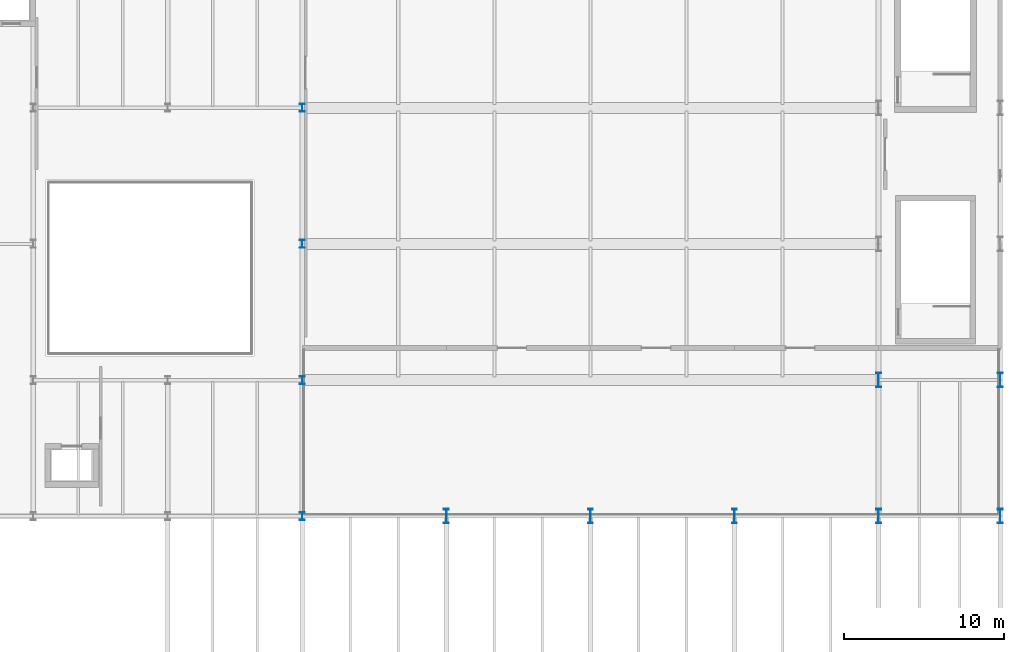
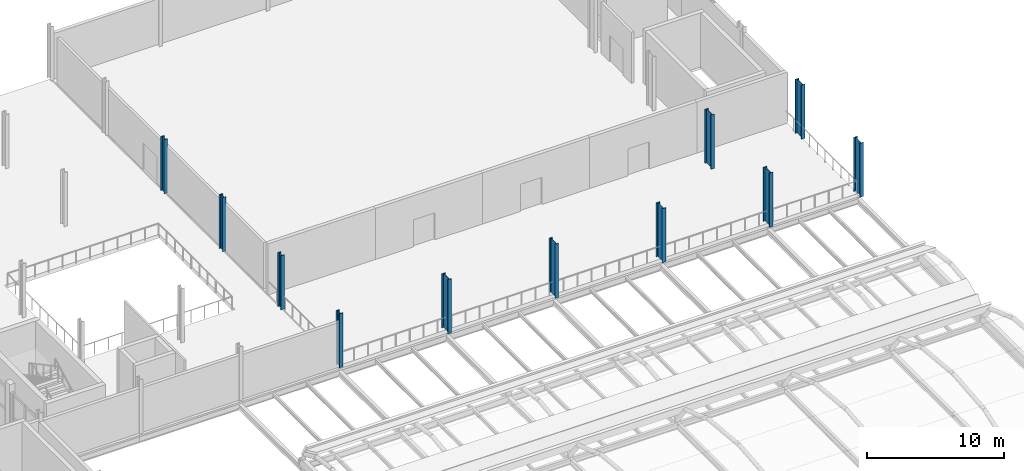
# One storey, part 13 of 63: 11 columns.
"""IFC4 building model written with IfcOpenShell, lengths in metres."""

from ifc_helpers import new_model, si_unit, direction, frame, origin, origin_2d, place, context, subcontext, project, spatial, i_section, extrude, material, material_profile, profile_set, type_object, element, save


model = new_model("IFC4")

# Units and contexts
model_context = context("Model", 3, precision=1e-05, world=origin(), true_north=direction((0.0, 1.0)))
body_context = subcontext(model_context, "Body", "Model", "MODEL_VIEW")
ifc_project = project(units=[si_unit("LENGTHUNIT", "METRE"), si_unit("AREAUNIT", "SQUARE_METRE"), si_unit("VOLUMEUNIT", "CUBIC_METRE"), si_unit("PLANEANGLEUNIT", "RADIAN"), si_unit("MASSUNIT", "GRAM", prefix="KILO")], contexts=[model_context])

# Site, building, storey
site_placement = place(None, origin())
site = spatial("IfcSite", under=ifc_project, at=site_placement, CompositionType="ELEMENT")
building_placement = place(site_placement, origin())
building = spatial("IfcBuilding", under=site, at=building_placement, Name="Sefraquen Railside Congress Hotel", CompositionType="ELEMENT")
storey_placement = place(building_placement, frame((0.0, 0.0, 11.39990234375)))
storey = spatial("IfcBuildingStorey", under=building, at=storey_placement, Name="L02", CompositionType="ELEMENT", Elevation=11.39990234375)

# Columns
ifc_material = material(Name="Steel S355JR", Category="steel")
ifc_material_profile_1 = material_profile(ifc_material, i_section(OverallWidth=0.300048828125, OverallDepth=0.5, WebThickness=0.014404296875, FlangeThickness=0.028076171875, FilletRadius=0.027099609375, at=origin_2d()), Name="HEB 500")
ifc_profile_set_1 = profile_set([ifc_material_profile_1], Name="Steel S355JR")
column_type_1 = type_object("IfcColumnType", Name="TC-HEB-500", PredefinedType="COLUMN", material=ifc_profile_set_1)
for number, where, z_axis, x_axis, name in (
    (1, (128.39990234375, 54.0, 0.0), (0.0, 0.0, 1.0), (1.0, 0.0, 0.0), "Structural column 17-G L02"),
    (2, (128.39990234375, 62.5, 0.0), (0.0, 0.0, 1.0), (1.0, 0.0, 0.0), "Structural column 17-H L02"),
    (3, (128.39990234375, 71.0, 0.0), (0.0, 0.0, 1.0), (1.0, 0.0, 0.0), "Structural column 17-J L02"),
    (4, (128.39990234375, 79.5, 0.0), (0.0, 0.0, 1.0), (1.0, 0.0, 0.0), "Structural column 17-K L02"),
):
    element("IfcColumn", number, at=place(storey_placement, frame(where, z_axis=z_axis, x_axis=x_axis)), inside=storey, type_object=column_type_1, Name=name, PredefinedType="COLUMN", context=body_context, shape_type="SweptSolid", body=[
        extrude(i_section(OverallWidth=0.300048828125, OverallDepth=0.5, WebThickness=0.014404296875, FlangeThickness=0.028076171875, FilletRadius=0.027099609375, at=origin_2d()), origin(), (0.0, 0.0, 1.0), 4.800048828125),
    ])
ifc_material_profile_2 = material_profile(ifc_material, i_section(OverallWidth=0.300048828125, OverallDepth=0.89990234375, WebThickness=0.0185546875, FlangeThickness=0.034912109375, FilletRadius=0.030029296875, at=origin_2d()), Name="HEB 900")
ifc_profile_set_2 = profile_set([ifc_material_profile_2], Name="Steel S355JR")
column_type_2 = type_object("IfcColumnType", Name="TC-HEB-900", PredefinedType="COLUMN", material=ifc_profile_set_2)
for number, where, z_axis, x_axis, name in (
    (5, (164.39990234375, 54.0, 0.0), (0.0, 0.0, 1.0), (1.0, 0.0, 0.0), "Structural column 21-G L02"),
    (6, (164.39990234375, 62.5, 0.0), (0.0, 0.0, 1.0), (1.0, 0.0, 0.0), "Structural column 21-H L02"),
    (7, (172.0, 54.0, 0.0), (0.0, 0.0, 1.0), (1.0, 0.0, 0.0), "Structural column 22-G L02"),
    (8, (172.0, 62.5, 0.0), (0.0, 0.0, 1.0), (1.0, 0.0, 0.0), "Structural column 22-H L02"),
    (9, (137.39990234375, 54.0, 0.0), (0.0, 0.0, 1.0), (1.0, 0.0, 0.0), "Structural column 18-G L02"),
    (10, (146.39990234375, 54.0, 0.0), (0.0, 0.0, 1.0), (1.0, 0.0, 0.0), "Structural column 19-G L02"),
    (11, (155.39990234375, 54.0, 0.0), (0.0, 0.0, 1.0), (1.0, 0.0, 0.0), "Structural column 20-G L02"),
):
    element("IfcColumn", number, at=place(storey_placement, frame(where, z_axis=z_axis, x_axis=x_axis)), inside=storey, type_object=column_type_2, Name=name, PredefinedType="COLUMN", context=body_context, shape_type="SweptSolid", body=[
        extrude(i_section(OverallWidth=0.300048828125, OverallDepth=0.89990234375, WebThickness=0.0185546875, FlangeThickness=0.034912109375, FilletRadius=0.030029296875, at=origin_2d()), origin(), (0.0, 0.0, 1.0), 4.800048828125),
    ])

save(model, "model.ifc")
